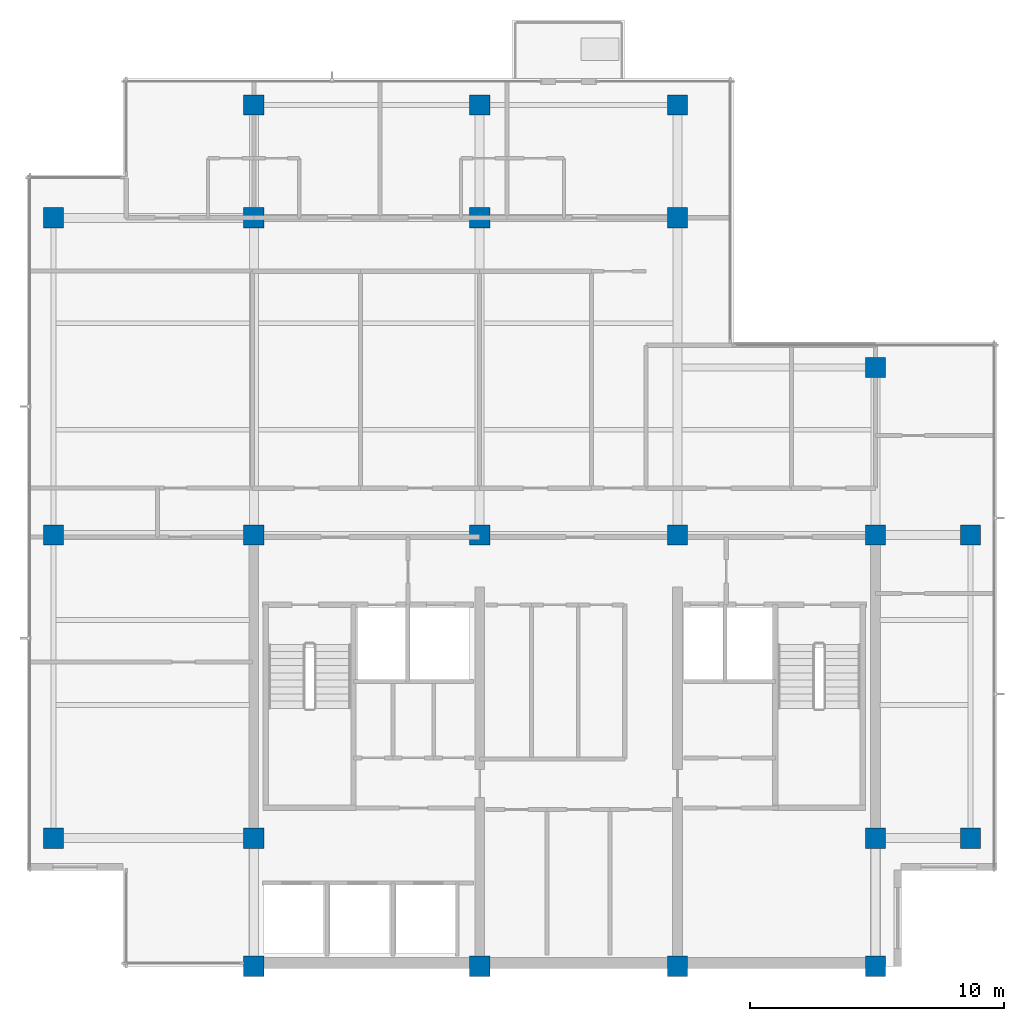
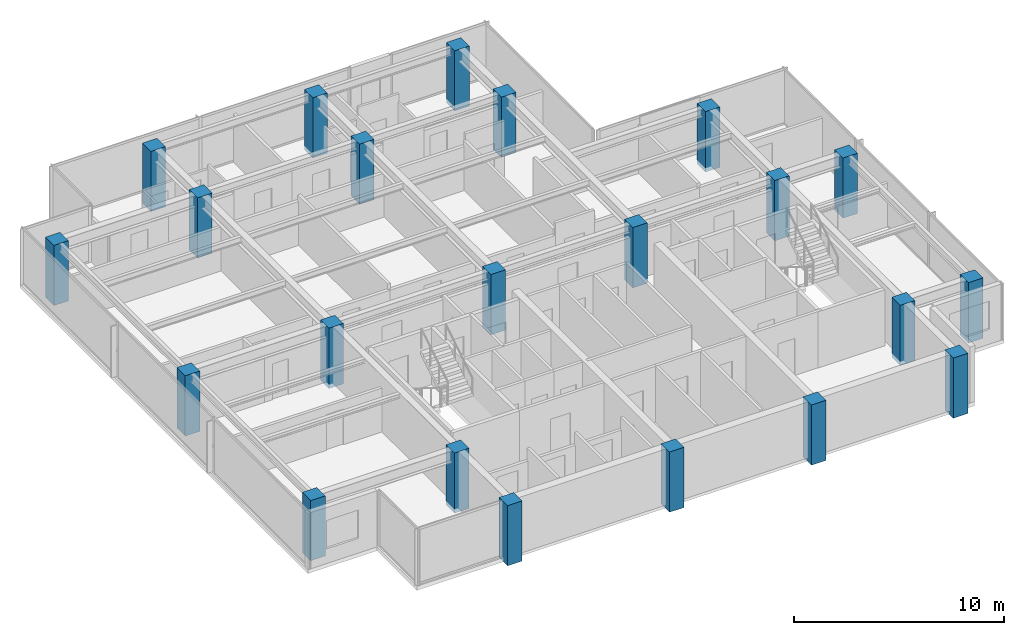
# One storey, part 1 of 12: 22 columns.
"""IFC4 building model written with IfcOpenShell, lengths in metres."""

from ifc_helpers import new_model, si_unit, direction, frame, origin, origin_2d, place, context, subcontext, project, spatial, rectangle, extrude, material, material_profile, profile_set, type_object, element, save


model = new_model("IFC4")

# Units and contexts
model_context = context("Model", 3, precision=1e-05, world=origin(), true_north=direction((0.0, 1.0)))
body_context = subcontext(model_context, "Body", "Model", "MODEL_VIEW")
ifc_project = project(units=[si_unit("LENGTHUNIT", "METRE"), si_unit("AREAUNIT", "SQUARE_METRE"), si_unit("VOLUMEUNIT", "CUBIC_METRE"), si_unit("PLANEANGLEUNIT", "RADIAN"), si_unit("MASSUNIT", "GRAM", prefix="KILO")], contexts=[model_context])

# Site, building, storey
site_placement = place(None, origin())
site = spatial("IfcSite", under=ifc_project, at=site_placement, CompositionType="ELEMENT")
building_placement = place(site_placement, origin())
building = spatial("IfcBuilding", under=site, at=building_placement, Name="Qalmaran Belvedere Hotel", CompositionType="ELEMENT")
storey_placement = place(building_placement, frame((0.0, 0.0, 252.89990234375)))
storey = spatial("IfcBuildingStorey", under=building, at=storey_placement, Name="L65", CompositionType="ELEMENT", Elevation=252.89990234375)

# Columns
ifc_material = material(Name="Concrete C50/60", Category="concrete")
ifc_material_profile = material_profile(ifc_material, rectangle(XDim=0.800048828125, YDim=0.800048828125, at=origin_2d()), Name="CC800X800")
ifc_profile_set = profile_set([ifc_material_profile], Name="Concrete C50/60")
column_type = type_object("IfcColumnType", Name="COL-Z5-CC800", PredefinedType="COLUMN", material=ifc_profile_set)
for number, where, z_axis, x_axis, name in (
    (1, (20.300048828125, 3.5, -0.239990234375), (0.0, 0.0, 1.0), (1.0, 0.0, 0.0), "L65 Column C4B"),
    (2, (29.199951171875, 3.5, -0.239990234375), (0.0, 0.0, 1.0), (1.0, 0.0, 0.0), "L65 Column C5B"),
    (3, (37.0, 3.5, -0.239990234375), (0.0, 0.0, 1.0), (1.0, 0.0, 0.0), "L65 Column C6B"),
    (4, (44.800048828125, 3.5, -0.239990234375), (0.0, 0.0, 1.0), (1.0, 0.0, 0.0), "L65 Column C7B"),
    (5, (20.300048828125, 8.550048828125, -0.239990234375), (0.0, 0.0, 1.0), (1.0, 0.0, 0.0), "L65 Column C4C"),
    (6, (44.800048828125, 8.550048828125, -0.239990234375), (0.0, 0.0, 1.0), (1.0, 0.0, 0.0), "L65 Column C7C"),
    (7, (20.300048828125, 20.5, -0.239990234375), (0.0, 0.0, 1.0), (1.0, 0.0, 0.0), "L65 Column C4D"),
    (8, (29.199951171875, 20.5, -0.239990234375), (0.0, 0.0, 1.0), (1.0, 0.0, 0.0), "L65 Column C5D"),
    (9, (37.0, 20.5, -0.239990234375), (0.0, 0.0, 1.0), (1.0, 0.0, 0.0), "L65 Column C6D"),
    (10, (44.800048828125, 20.5, -0.239990234375), (0.0, 0.0, 1.0), (1.0, 0.0, 0.0), "L65 Column C7D"),
    (11, (20.300048828125, 33.0, -0.239990234375), (0.0, 0.0, 1.0), (1.0, 0.0, 0.0), "L65 Column C4F"),
    (12, (29.199951171875, 33.0, -0.239990234375), (0.0, 0.0, 1.0), (1.0, 0.0, 0.0), "L65 Column C5F"),
    (13, (37.0, 33.0, -0.239990234375), (0.0, 0.0, 1.0), (1.0, 0.0, 0.0), "L65 Column C6F"),
    (14, (44.800048828125, 27.10009765625, -0.239990234375), (0.0, 0.0, 1.0), (1.0, 0.0, 0.0), "L65 Column C7E"),
    (15, (12.39990234375, 8.550048828125, -0.239990234375), (0.0, 0.0, 1.0), (1.0, 0.0, 0.0), "L65 Column CW1"),
    (16, (12.39990234375, 20.5, -0.239990234375), (0.0, 0.0, 1.0), (1.0, 0.0, 0.0), "L65 Column CW3"),
    (17, (12.39990234375, 33.0, -0.239990234375), (0.0, 0.0, 1.0), (1.0, 0.0, 0.0), "L65 Column CW4"),
    (18, (48.550048828125, 8.550048828125, -0.239990234375), (0.0, 0.0, 1.0), (1.0, 0.0, 0.0), "L65 Column CE1"),
    (19, (48.550048828125, 20.5, -0.239990234375), (0.0, 0.0, 1.0), (1.0, 0.0, 0.0), "L65 Column CE3"),
    (20, (20.300048828125, 37.449951171875, -0.239990234375), (0.0, 0.0, 1.0), (1.0, 0.0, 0.0), "L65 Column CN1"),
    (21, (29.199951171875, 37.449951171875, -0.239990234375), (0.0, 0.0, 1.0), (1.0, 0.0, 0.0), "L65 Column CN2"),
    (22, (37.0, 37.449951171875, -0.239990234375), (0.0, 0.0, 1.0), (1.0, 0.0, 0.0), "L65 Column CN3"),
):
    element("IfcColumn", number, at=place(storey_placement, frame(where, z_axis=z_axis, x_axis=x_axis)), inside=storey, type_object=column_type, Name=name, PredefinedType="COLUMN", context=body_context, shape_type="SweptSolid", body=[
        extrude(rectangle(XDim=0.800048828125, YDim=0.800048828125, at=origin_2d()), origin(), (0.0, 0.0, 1.0), 3.5),
    ])

save(model, "model.ifc")
